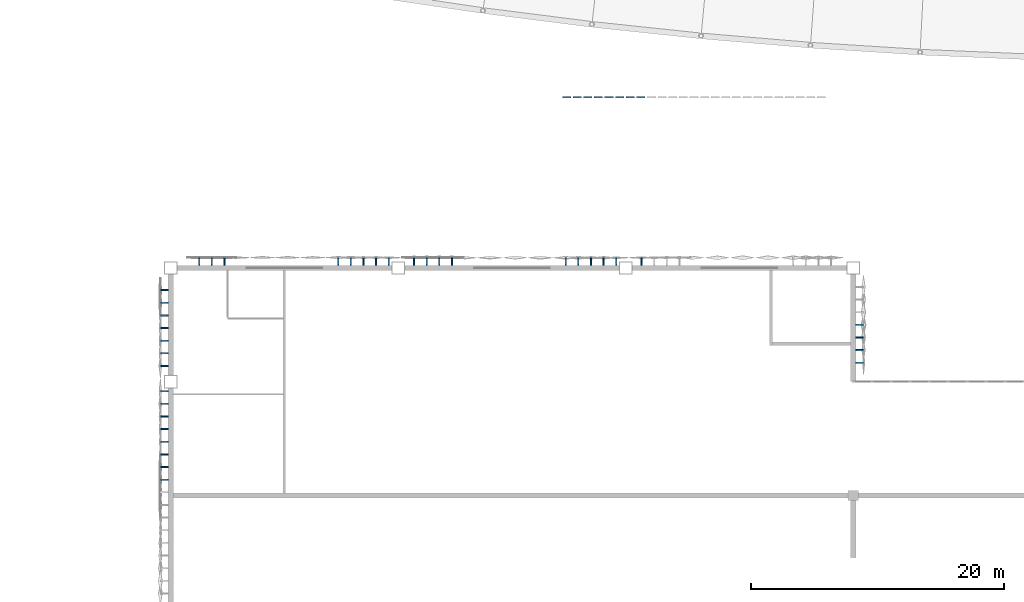
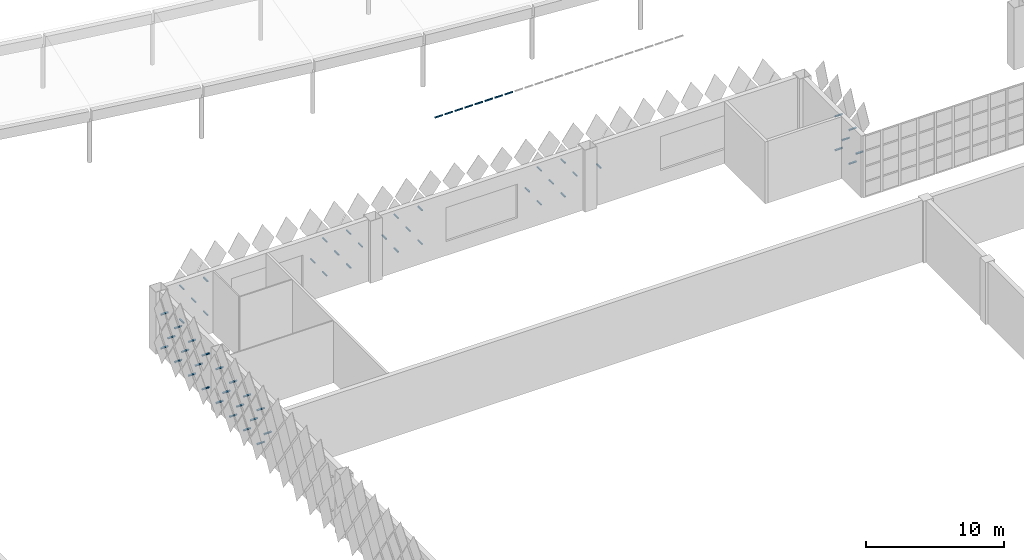
# One storey, part 146 of 185: 63 discrete accessories.
"""IFC4 building model written with IfcOpenShell, lengths in metres."""

from ifc_helpers import new_model, si_unit, direction, frame, origin, origin_2d, place, context, subcontext, project, spatial, polyline, hollow_rectangle, outline, extrude, material, material_profile, profile_set, type_object, element, save


model = new_model("IFC4")

# Units and contexts
model_context = context("Model", 3, precision=1e-05, world=origin(), true_north=direction((0.0, 1.0)))
body_context = subcontext(model_context, "Body", "Model", "MODEL_VIEW")
ifc_project = project(units=[si_unit("LENGTHUNIT", "METRE"), si_unit("AREAUNIT", "SQUARE_METRE"), si_unit("VOLUMEUNIT", "CUBIC_METRE"), si_unit("PLANEANGLEUNIT", "RADIAN"), si_unit("MASSUNIT", "GRAM", prefix="KILO")], contexts=[model_context])

# Site, building, storey
site_placement = place(None, origin())
site = spatial("IfcSite", under=ifc_project, at=site_placement, CompositionType="ELEMENT")
building_placement = place(site_placement, origin())
building = spatial("IfcBuilding", under=site, at=building_placement, Name="Opaline Strait Convention Centre", CompositionType="ELEMENT")
storey_placement = place(building_placement, frame((0.0, 0.0, 6.0)))
storey = spatial("IfcBuildingStorey", under=building, at=storey_placement, Name="L01", CompositionType="ELEMENT", Elevation=6.0)

# Discrete accessories
ifc_material = material(Name="Steel Q355B", Category="steel")
ifc_material_profile = material_profile(ifc_material, hollow_rectangle(XDim=0.10009765625, YDim=0.10009765625, WallThickness=0.006103515625, at=origin_2d()), Name="RHS 100x100x6")
ifc_profile_set = profile_set([ifc_material_profile], Name="Steel Q355B")
discrete_accessory_type_1 = type_object("IfcDiscreteAccessoryType", Name="Blade rail RHS 100x100x6", PredefinedType="BRACKET", material=ifc_profile_set)
for number, where, z_axis, x_axis, name in (
    (1, (129.97998046875, 166.5, 1.5), (1.0, 0.0, 0.0), (0.0, 1.0, 0.0), "Blade rail 1 W"),
    (2, (130.820068359375, 166.5, 1.5), (1.0, 0.0, 0.0), (0.0, 1.0, 0.0), "Blade rail 1 W"),
):
    element("IfcDiscreteAccessory", number, at=place(storey_placement, frame(where, z_axis=z_axis, x_axis=x_axis)), inside=storey, type_object=discrete_accessory_type_1, Name=name, PredefinedType="BRACKET", context=body_context, shape_type="SweptSolid", body=[
        extrude(hollow_rectangle(XDim=0.10009765625, YDim=0.10009765625, WallThickness=0.006103515625, at=origin_2d()), origin(), (0.0, 0.0, 1.0), 0.679931640625),
    ])
discrete_accessory_1_placement = place(storey_placement, frame((131.659912109375, 166.5, 1.5), z_axis=(1.0, 0.0, 0.0), x_axis=(0.0, 1.0, 0.0)))
element("IfcDiscreteAccessory", 3, at=discrete_accessory_1_placement, inside=storey, type_object=discrete_accessory_type_1, Name="Blade rail 1 W", PredefinedType="BRACKET", context=body_context, shape_type="SweptSolid", body=[
    extrude(hollow_rectangle(XDim=0.10009765625, YDim=0.10009765625, WallThickness=0.006103515625, at=origin_2d()), origin(), (0.0, 0.0, 1.0), 0.68017578125),
])
for number, where, z_axis, x_axis, name in (
    (4, (132.5, 166.5, 1.5), (1.0, 0.0, 0.0), (0.0, 1.0, 0.0), "Blade rail 1 W"),
    (5, (133.340087890625, 166.5, 1.5), (1.0, 0.0, 0.0), (0.0, 1.0, 0.0), "Blade rail 1 W"),
):
    element("IfcDiscreteAccessory", number, at=place(storey_placement, frame(where, z_axis=z_axis, x_axis=x_axis)), inside=storey, type_object=discrete_accessory_type_1, Name=name, PredefinedType="BRACKET", context=body_context, shape_type="SweptSolid", body=[
        extrude(hollow_rectangle(XDim=0.10009765625, YDim=0.10009765625, WallThickness=0.006103515625, at=origin_2d()), origin(), (0.0, 0.0, 1.0), 0.679931640625),
    ])
discrete_accessory_2_placement = place(storey_placement, frame((134.179931640625, 166.5, 1.5), z_axis=(1.0, 0.0, 0.0), x_axis=(0.0, 1.0, 0.0)))
element("IfcDiscreteAccessory", 6, at=discrete_accessory_2_placement, inside=storey, type_object=discrete_accessory_type_1, Name="Blade rail 1 W", PredefinedType="BRACKET", context=body_context, shape_type="SweptSolid", body=[
    extrude(hollow_rectangle(XDim=0.10009765625, YDim=0.10009765625, WallThickness=0.006103515625, at=origin_2d()), origin(), (0.0, 0.0, 1.0), 0.68017578125),
])
for number, where, z_axis, x_axis, name in (
    (7, (135.02001953125, 166.5, 1.5), (1.0, 0.0, 0.0), (0.0, 1.0, 0.0), "Blade rail 1 W"),
    (8, (135.860107421875, 166.5, 1.5), (1.0, 0.0, 0.0), (0.0, 1.0, 0.0), "Blade rail 1 W"),
):
    element("IfcDiscreteAccessory", number, at=place(storey_placement, frame(where, z_axis=z_axis, x_axis=x_axis)), inside=storey, type_object=discrete_accessory_type_1, Name=name, PredefinedType="BRACKET", context=body_context, shape_type="SweptSolid", body=[
        extrude(hollow_rectangle(XDim=0.10009765625, YDim=0.10009765625, WallThickness=0.006103515625, at=origin_2d()), origin(), (0.0, 0.0, 1.0), 0.679931640625),
    ])
discrete_accessory_type_2 = type_object("IfcDiscreteAccessoryType", Name="Tile bracket 100x100 steel", PredefinedType="BRACKET", material=ifc_material)
discrete_accessory_3_placement = place(storey_placement, frame((133.300048828125, 153.199951171875, 1.39208984375), z_axis=(-1.0, 0.0, 0.0), x_axis=(0.0, -1.0, 0.0)))
element("IfcDiscreteAccessory", 9, at=discrete_accessory_3_placement, inside=storey, type_object=discrete_accessory_type_2, Name="Tile bracket XT10 N", PredefinedType="BRACKET", context=body_context, shape_type="SweptSolid", body=[
    extrude(outline(polyline([(0.0, -0.050048828125), (0.0, 0.050048828125), (-0.595703125, 0.050048828125), (-0.604248046875, -0.050048828125), (0.0, -0.050048828125)])), origin(), (0.0, 0.0, 1.0), 0.10009765625),
])
discrete_accessory_4_placement = place(storey_placement, frame((131.300048828125, 153.199951171875, 1.39208984375), z_axis=(-1.0, 0.0, 0.0), x_axis=(0.0, -1.0, 0.0)))
element("IfcDiscreteAccessory", 10, at=discrete_accessory_4_placement, inside=storey, type_object=discrete_accessory_type_2, Name="Tile bracket XT11 N", PredefinedType="BRACKET", context=body_context, shape_type="SweptSolid", body=[
    extrude(outline(polyline([(0.0, -0.050048828125), (0.0, 0.050048828125), (-0.59521484375, 0.050048828125), (-0.604736328125, -0.050048828125), (0.0, -0.050048828125)])), origin(), (0.0, 0.0, 1.0), 0.10009765625),
])
discrete_accessory_5_placement = place(storey_placement, frame((121.300048828125, 153.199951171875, 1.39208984375), z_axis=(-1.0, 0.0, 0.0), x_axis=(0.0, -1.0, 0.0)))
element("IfcDiscreteAccessory", 11, at=discrete_accessory_5_placement, inside=storey, type_object=discrete_accessory_type_2, Name="Tile bracket XT04 N", PredefinedType="BRACKET", context=body_context, shape_type="SweptSolid", body=[
    extrude(outline(polyline([(0.0, -0.050048828125), (0.0, 0.050048828125), (-0.59814453125, 0.050048828125), (-0.601806640625, -0.050048828125), (0.0, -0.050048828125)])), origin(), (0.0, 0.0, 1.0), 0.10009765625),
])
discrete_accessory_6_placement = place(storey_placement, frame((119.300048828125, 153.199951171875, 1.39208984375), z_axis=(-1.0, 0.0, 0.0), x_axis=(0.0, -1.0, 0.0)))
element("IfcDiscreteAccessory", 12, at=discrete_accessory_6_placement, inside=storey, type_object=discrete_accessory_type_2, Name="Tile bracket XT04 N", PredefinedType="BRACKET", context=body_context, shape_type="SweptSolid", body=[
    extrude(outline(polyline([(0.0, -0.050048828125), (0.0, 0.050048828125), (-0.601806640625, 0.050048828125), (-0.59814453125, -0.050048828125), (0.0, -0.050048828125)])), origin(), (0.0, 0.0, 1.0), 0.10009765625),
])
discrete_accessory_7_placement = place(storey_placement, frame((115.300048828125, 153.199951171875, 1.39208984375), z_axis=(-1.0, 0.0, 0.0), x_axis=(0.0, -1.0, 0.0)))
element("IfcDiscreteAccessory", 13, at=discrete_accessory_7_placement, inside=storey, type_object=discrete_accessory_type_2, Name="Tile bracket XT07 N", PredefinedType="BRACKET", context=body_context, shape_type="SweptSolid", body=[
    extrude(outline(polyline([(0.0, -0.050048828125), (0.0, 0.050048828125), (-0.60302734375, 0.050048828125), (-0.596923828125, -0.050048828125), (0.0, -0.050048828125)])), origin(), (0.0, 0.0, 1.0), 0.10009765625),
])
discrete_accessory_8_placement = place(storey_placement, frame((113.300048828125, 153.199951171875, 1.39208984375), z_axis=(-1.0, 0.0, 0.0), x_axis=(0.0, -1.0, 0.0)))
element("IfcDiscreteAccessory", 14, at=discrete_accessory_8_placement, inside=storey, type_object=discrete_accessory_type_2, Name="Tile bracket XT09 N", PredefinedType="BRACKET", context=body_context, shape_type="SweptSolid", body=[
    extrude(outline(polyline([(0.0, -0.050048828125), (0.0, 0.050048828125), (-0.60400390625, 0.050048828125), (-0.595947265625, -0.050048828125), (0.0, -0.050048828125)])), origin(), (0.0, 0.0, 1.0), 0.10009765625),
])
discrete_accessory_9_placement = place(storey_placement, frame((103.300048828125, 153.199951171875, 1.39208984375), z_axis=(-1.0, 0.0, 0.0), x_axis=(0.0, -1.0, 0.0)))
element("IfcDiscreteAccessory", 15, at=discrete_accessory_9_placement, inside=storey, type_object=discrete_accessory_type_2, Name="Tile bracket XT02 N", PredefinedType="BRACKET", context=body_context, shape_type="SweptSolid", body=[
    extrude(outline(polyline([(0.0, -0.050048828125), (0.0, 0.050048828125), (-0.600830078125, 0.050048828125), (-0.59912109375, -0.050048828125), (0.0, -0.050048828125)])), origin(), (0.0, 0.0, 1.0), 0.10009765625),
])
discrete_accessory_10_placement = place(storey_placement, frame((101.300048828125, 153.199951171875, 1.39208984375), z_axis=(-1.0, 0.0, 0.0), x_axis=(0.0, -1.0, 0.0)))
element("IfcDiscreteAccessory", 16, at=discrete_accessory_10_placement, inside=storey, type_object=discrete_accessory_type_2, Name="Tile bracket XT02 N", PredefinedType="BRACKET", context=body_context, shape_type="SweptSolid", body=[
    extrude(outline(polyline([(0.0, -0.050048828125), (0.0, 0.050048828125), (-0.59912109375, 0.050048828125), (-0.600830078125, -0.050048828125), (0.0, -0.050048828125)])), origin(), (0.0, 0.0, 1.0), 0.10009765625),
])
discrete_accessory_11_placement = place(storey_placement, frame((136.300048828125, 153.199951171875, 2.89208984375), z_axis=(-1.0, 0.0, 0.0), x_axis=(0.0, -1.0, 0.0)))
element("IfcDiscreteAccessory", 17, at=discrete_accessory_11_placement, inside=storey, type_object=discrete_accessory_type_2, Name="Tile bracket XT05 N", PredefinedType="BRACKET", context=body_context, shape_type="SweptSolid", body=[
    extrude(outline(polyline([(0.0, -0.050048828125), (0.0, 0.050048828125), (-0.597900390625, 0.050048828125), (-0.602294921875, -0.050048828125), (0.0, -0.050048828125)])), origin(), (0.0, 0.0, 1.0), 0.10009765625),
])
discrete_accessory_12_placement = place(storey_placement, frame((134.300048828125, 153.199951171875, 2.89208984375), z_axis=(-1.0, 0.0, 0.0), x_axis=(0.0, -1.0, 0.0)))
element("IfcDiscreteAccessory", 18, at=discrete_accessory_12_placement, inside=storey, type_object=discrete_accessory_type_2, Name="Tile bracket XT07 N", PredefinedType="BRACKET", context=body_context, shape_type="SweptSolid", body=[
    extrude(outline(polyline([(0.0, -0.050048828125), (0.0, 0.050048828125), (-0.596923828125, 0.050048828125), (-0.60302734375, -0.050048828125), (0.0, -0.050048828125)])), origin(), (0.0, 0.0, 1.0), 0.10009765625),
])
discrete_accessory_13_placement = place(storey_placement, frame((132.300048828125, 153.199951171875, 2.89208984375), z_axis=(-1.0, 0.0, 0.0), x_axis=(0.0, -1.0, 0.0)))
element("IfcDiscreteAccessory", 19, at=discrete_accessory_13_placement, inside=storey, type_object=discrete_accessory_type_2, Name="Tile bracket XT10 N", PredefinedType="BRACKET", context=body_context, shape_type="SweptSolid", body=[
    extrude(outline(polyline([(0.0, -0.050048828125), (0.0, 0.050048828125), (-0.595703125, 0.050048828125), (-0.604248046875, -0.050048828125), (0.0, -0.050048828125)])), origin(), (0.0, 0.0, 1.0), 0.10009765625),
])
discrete_accessory_14_placement = place(storey_placement, frame((130.300048828125, 153.199951171875, 2.89208984375), z_axis=(-1.0, 0.0, 0.0), x_axis=(0.0, -1.0, 0.0)))
element("IfcDiscreteAccessory", 20, at=discrete_accessory_14_placement, inside=storey, type_object=discrete_accessory_type_2, Name="Tile bracket XT11 N", PredefinedType="BRACKET", context=body_context, shape_type="SweptSolid", body=[
    extrude(outline(polyline([(0.0, -0.050048828125), (0.0, 0.050048828125), (-0.59521484375, 0.050048828125), (-0.604736328125, -0.050048828125), (0.0, -0.050048828125)])), origin(), (0.0, 0.0, 1.0), 0.10009765625),
])
discrete_accessory_15_placement = place(storey_placement, frame((120.300048828125, 153.199951171875, 2.89208984375), z_axis=(-1.0, 0.0, 0.0), x_axis=(0.0, -1.0, 0.0)))
element("IfcDiscreteAccessory", 21, at=discrete_accessory_15_placement, inside=storey, type_object=discrete_accessory_type_2, Name="Tile bracket XT04 N", PredefinedType="BRACKET", context=body_context, shape_type="SweptSolid", body=[
    extrude(outline(polyline([(0.0, -0.050048828125), (0.0, 0.050048828125), (-0.59814453125, 0.050048828125), (-0.601806640625, -0.050048828125), (0.0, -0.050048828125)])), origin(), (0.0, 0.0, 1.0), 0.10009765625),
])
discrete_accessory_16_placement = place(storey_placement, frame((118.300048828125, 153.199951171875, 2.89208984375), z_axis=(-1.0, 0.0, 0.0), x_axis=(0.0, -1.0, 0.0)))
element("IfcDiscreteAccessory", 22, at=discrete_accessory_16_placement, inside=storey, type_object=discrete_accessory_type_2, Name="Tile bracket XT04 N", PredefinedType="BRACKET", context=body_context, shape_type="SweptSolid", body=[
    extrude(outline(polyline([(0.0, -0.050048828125), (0.0, 0.050048828125), (-0.601806640625, 0.050048828125), (-0.59814453125, -0.050048828125), (0.0, -0.050048828125)])), origin(), (0.0, 0.0, 1.0), 0.10009765625),
])
discrete_accessory_17_placement = place(storey_placement, frame((116.300048828125, 153.199951171875, 2.89208984375), z_axis=(-1.0, 0.0, 0.0), x_axis=(0.0, -1.0, 0.0)))
element("IfcDiscreteAccessory", 23, at=discrete_accessory_17_placement, inside=storey, type_object=discrete_accessory_type_2, Name="Tile bracket XT05 N", PredefinedType="BRACKET", context=body_context, shape_type="SweptSolid", body=[
    extrude(outline(polyline([(0.0, -0.050048828125), (0.0, 0.050048828125), (-0.602294921875, 0.050048828125), (-0.597900390625, -0.050048828125), (0.0, -0.050048828125)])), origin(), (0.0, 0.0, 1.0), 0.10009765625),
])
discrete_accessory_18_placement = place(storey_placement, frame((114.300048828125, 153.199951171875, 2.89208984375), z_axis=(-1.0, 0.0, 0.0), x_axis=(0.0, -1.0, 0.0)))
element("IfcDiscreteAccessory", 24, at=discrete_accessory_18_placement, inside=storey, type_object=discrete_accessory_type_2, Name="Tile bracket XT07 N", PredefinedType="BRACKET", context=body_context, shape_type="SweptSolid", body=[
    extrude(outline(polyline([(0.0, -0.050048828125), (0.0, 0.050048828125), (-0.60302734375, 0.050048828125), (-0.596923828125, -0.050048828125), (0.0, -0.050048828125)])), origin(), (0.0, 0.0, 1.0), 0.10009765625),
])
discrete_accessory_19_placement = place(storey_placement, frame((112.300048828125, 153.199951171875, 2.89208984375), z_axis=(-1.0, 0.0, 0.0), x_axis=(0.0, -1.0, 0.0)))
element("IfcDiscreteAccessory", 25, at=discrete_accessory_19_placement, inside=storey, type_object=discrete_accessory_type_2, Name="Tile bracket XT08 N", PredefinedType="BRACKET", context=body_context, shape_type="SweptSolid", body=[
    extrude(outline(polyline([(0.0, -0.050048828125), (0.0, 0.050048828125), (-0.603515625, 0.050048828125), (-0.596435546875, -0.050048828125), (0.0, -0.050048828125)])), origin(), (0.0, 0.0, 1.0), 0.10009765625),
])
discrete_accessory_20_placement = place(storey_placement, frame((102.300048828125, 153.199951171875, 2.89208984375), z_axis=(-1.0, 0.0, 0.0), x_axis=(0.0, -1.0, 0.0)))
element("IfcDiscreteAccessory", 26, at=discrete_accessory_20_placement, inside=storey, type_object=discrete_accessory_type_2, Name="Tile bracket XT02 N", PredefinedType="BRACKET", context=body_context, shape_type="SweptSolid", body=[
    extrude(outline(polyline([(0.0, -0.050048828125), (0.0, 0.050048828125), (-0.600830078125, 0.050048828125), (-0.59912109375, -0.050048828125), (0.0, -0.050048828125)])), origin(), (0.0, 0.0, 1.0), 0.10009765625),
])
discrete_accessory_21_placement = place(storey_placement, frame((133.300048828125, 153.199951171875, 4.39208984375), z_axis=(-1.0, 0.0, 0.0), x_axis=(0.0, -1.0, 0.0)))
element("IfcDiscreteAccessory", 27, at=discrete_accessory_21_placement, inside=storey, type_object=discrete_accessory_type_2, Name="Tile bracket XT06 N", PredefinedType="BRACKET", context=body_context, shape_type="SweptSolid", body=[
    extrude(outline(polyline([(0.0, -0.050048828125), (0.0, 0.050048828125), (-0.597412109375, 0.050048828125), (-0.6025390625, -0.050048828125), (0.0, -0.050048828125)])), origin(), (0.0, 0.0, 1.0), 0.10009765625),
])
discrete_accessory_22_placement = place(storey_placement, frame((131.300048828125, 153.199951171875, 4.39208984375), z_axis=(-1.0, 0.0, 0.0), x_axis=(0.0, -1.0, 0.0)))
element("IfcDiscreteAccessory", 28, at=discrete_accessory_22_placement, inside=storey, type_object=discrete_accessory_type_2, Name="Tile bracket XT09 N", PredefinedType="BRACKET", context=body_context, shape_type="SweptSolid", body=[
    extrude(outline(polyline([(0.0, -0.050048828125), (0.0, 0.050048828125), (-0.595947265625, 0.050048828125), (-0.60400390625, -0.050048828125), (0.0, -0.050048828125)])), origin(), (0.0, 0.0, 1.0), 0.10009765625),
])
discrete_accessory_23_placement = place(storey_placement, frame((121.300048828125, 153.199951171875, 4.39208984375), z_axis=(-1.0, 0.0, 0.0), x_axis=(0.0, -1.0, 0.0)))
element("IfcDiscreteAccessory", 29, at=discrete_accessory_23_placement, inside=storey, type_object=discrete_accessory_type_2, Name="Tile bracket XT06 N", PredefinedType="BRACKET", context=body_context, shape_type="SweptSolid", body=[
    extrude(outline(polyline([(0.0, -0.050048828125), (0.0, 0.050048828125), (-0.597412109375, 0.050048828125), (-0.6025390625, -0.050048828125), (0.0, -0.050048828125)])), origin(), (0.0, 0.0, 1.0), 0.10009765625),
])
discrete_accessory_24_placement = place(storey_placement, frame((119.300048828125, 153.199951171875, 4.39208984375), z_axis=(-1.0, 0.0, 0.0), x_axis=(0.0, -1.0, 0.0)))
element("IfcDiscreteAccessory", 30, at=discrete_accessory_24_placement, inside=storey, type_object=discrete_accessory_type_2, Name="Tile bracket XT04 N", PredefinedType="BRACKET", context=body_context, shape_type="SweptSolid", body=[
    extrude(outline(polyline([(0.0, -0.050048828125), (0.0, 0.050048828125), (-0.59814453125, 0.050048828125), (-0.601806640625, -0.050048828125), (0.0, -0.050048828125)])), origin(), (0.0, 0.0, 1.0), 0.10009765625),
])
discrete_accessory_25_placement = place(storey_placement, frame((115.300048828125, 153.199951171875, 4.39208984375), z_axis=(-1.0, 0.0, 0.0), x_axis=(0.0, -1.0, 0.0)))
element("IfcDiscreteAccessory", 31, at=discrete_accessory_25_placement, inside=storey, type_object=discrete_accessory_type_2, Name="Tile bracket XT04 N", PredefinedType="BRACKET", context=body_context, shape_type="SweptSolid", body=[
    extrude(outline(polyline([(0.0, -0.050048828125), (0.0, 0.050048828125), (-0.601806640625, 0.050048828125), (-0.59814453125, -0.050048828125), (0.0, -0.050048828125)])), origin(), (0.0, 0.0, 1.0), 0.10009765625),
])
discrete_accessory_26_placement = place(storey_placement, frame((113.300048828125, 153.199951171875, 4.39208984375), z_axis=(-1.0, 0.0, 0.0), x_axis=(0.0, -1.0, 0.0)))
element("IfcDiscreteAccessory", 32, at=discrete_accessory_26_placement, inside=storey, type_object=discrete_accessory_type_2, Name="Tile bracket XT07 N", PredefinedType="BRACKET", context=body_context, shape_type="SweptSolid", body=[
    extrude(outline(polyline([(0.0, -0.050048828125), (0.0, 0.050048828125), (-0.60302734375, 0.050048828125), (-0.596923828125, -0.050048828125), (0.0, -0.050048828125)])), origin(), (0.0, 0.0, 1.0), 0.10009765625),
])
discrete_accessory_27_placement = place(storey_placement, frame((103.300048828125, 153.199951171875, 4.39208984375), z_axis=(-1.0, 0.0, 0.0), x_axis=(0.0, -1.0, 0.0)))
element("IfcDiscreteAccessory", 33, at=discrete_accessory_27_placement, inside=storey, type_object=discrete_accessory_type_2, Name="Tile bracket XT04 N", PredefinedType="BRACKET", context=body_context, shape_type="SweptSolid", body=[
    extrude(outline(polyline([(0.0, -0.050048828125), (0.0, 0.050048828125), (-0.601806640625, 0.050048828125), (-0.59814453125, -0.050048828125), (0.0, -0.050048828125)])), origin(), (0.0, 0.0, 1.0), 0.10009765625),
])
discrete_accessory_28_placement = place(storey_placement, frame((101.300048828125, 153.199951171875, 4.39208984375), z_axis=(-1.0, 0.0, 0.0), x_axis=(0.0, -1.0, 0.0)))
element("IfcDiscreteAccessory", 34, at=discrete_accessory_28_placement, inside=storey, type_object=discrete_accessory_type_2, Name="Tile bracket XT02 N", PredefinedType="BRACKET", context=body_context, shape_type="SweptSolid", body=[
    extrude(outline(polyline([(0.0, -0.050048828125), (0.0, 0.050048828125), (-0.600830078125, 0.050048828125), (-0.59912109375, -0.050048828125), (0.0, -0.050048828125)])), origin(), (0.0, 0.0, 1.0), 0.10009765625),
])
discrete_accessory_29_placement = place(storey_placement, frame((98.800048828125, 151.300048828125, 1.39208984375), z_axis=(0.0, -1.0, 0.0), x_axis=(1.0, 0.0, 0.0)))
element("IfcDiscreteAccessory", 35, at=discrete_accessory_29_placement, inside=storey, type_object=discrete_accessory_type_2, Name="Tile bracket XT06 W", PredefinedType="BRACKET", context=body_context, shape_type="SweptSolid", body=[
    extrude(outline(polyline([(0.0, -0.050048828125), (0.0, 0.050048828125), (-0.6025390625, 0.050048828125), (-0.597412109375, -0.050048828125), (0.0, -0.050048828125)])), origin(), (0.0, 0.0, 1.0), 0.10009765625),
])
discrete_accessory_30_placement = place(storey_placement, frame((98.800048828125, 149.300048828125, 1.39208984375), z_axis=(0.0, -1.0, 0.0), x_axis=(1.0, 0.0, 0.0)))
element("IfcDiscreteAccessory", 36, at=discrete_accessory_30_placement, inside=storey, type_object=discrete_accessory_type_2, Name="Tile bracket XT07 W", PredefinedType="BRACKET", context=body_context, shape_type="SweptSolid", body=[
    extrude(outline(polyline([(0.0, -0.050048828125), (0.0, 0.050048828125), (-0.60302734375, 0.050048828125), (-0.596923828125, -0.050048828125), (0.0, -0.050048828125)])), origin(), (0.0, 0.0, 1.0), 0.10009765625),
])
for number, where, z_axis, x_axis, name in (
    (37, (98.800048828125, 147.300048828125, 1.39208984375), (0.0, -1.0, 0.0), (1.0, 0.0, 0.0), "Tile bracket XT08 W"),
    (38, (98.800048828125, 145.300048828125, 1.39208984375), (0.0, -1.0, 0.0), (1.0, 0.0, 0.0), "Tile bracket XT08 W"),
):
    element("IfcDiscreteAccessory", number, at=place(storey_placement, frame(where, z_axis=z_axis, x_axis=x_axis)), inside=storey, type_object=discrete_accessory_type_2, Name=name, PredefinedType="BRACKET", context=body_context, shape_type="SweptSolid", body=[
        extrude(outline(polyline([(0.0, -0.050048828125), (0.0, 0.050048828125), (-0.603515625, 0.050048828125), (-0.596435546875, -0.050048828125), (0.0, -0.050048828125)])), origin(), (0.0, 0.0, 1.0), 0.10009765625),
    ])
discrete_accessory_31_placement = place(storey_placement, frame((98.800048828125, 143.300048828125, 1.39208984375), z_axis=(0.0, -1.0, 0.0), x_axis=(1.0, 0.0, 0.0)))
element("IfcDiscreteAccessory", 39, at=discrete_accessory_31_placement, inside=storey, type_object=discrete_accessory_type_2, Name="Tile bracket XT07 W", PredefinedType="BRACKET", context=body_context, shape_type="SweptSolid", body=[
    extrude(outline(polyline([(0.0, -0.050048828125), (0.0, 0.050048828125), (-0.60302734375, 0.050048828125), (-0.596923828125, -0.050048828125), (0.0, -0.050048828125)])), origin(), (0.0, 0.0, 1.0), 0.10009765625),
])
discrete_accessory_32_placement = place(storey_placement, frame((98.800048828125, 141.300048828125, 1.39208984375), z_axis=(0.0, -1.0, 0.0), x_axis=(1.0, 0.0, 0.0)))
element("IfcDiscreteAccessory", 40, at=discrete_accessory_32_placement, inside=storey, type_object=discrete_accessory_type_2, Name="Tile bracket XT05 W", PredefinedType="BRACKET", context=body_context, shape_type="SweptSolid", body=[
    extrude(outline(polyline([(0.0, -0.050048828125), (0.0, 0.050048828125), (-0.602294921875, 0.050048828125), (-0.597900390625, -0.050048828125), (0.0, -0.050048828125)])), origin(), (0.0, 0.0, 1.0), 0.10009765625),
])
discrete_accessory_33_placement = place(storey_placement, frame((98.800048828125, 139.300048828125, 1.39208984375), z_axis=(0.0, -1.0, 0.0), x_axis=(1.0, 0.0, 0.0)))
element("IfcDiscreteAccessory", 41, at=discrete_accessory_33_placement, inside=storey, type_object=discrete_accessory_type_2, Name="Tile bracket XT04 W", PredefinedType="BRACKET", context=body_context, shape_type="SweptSolid", body=[
    extrude(outline(polyline([(0.0, -0.050048828125), (0.0, 0.050048828125), (-0.601806640625, 0.050048828125), (-0.59814453125, -0.050048828125), (0.0, -0.050048828125)])), origin(), (0.0, 0.0, 1.0), 0.10009765625),
])
discrete_accessory_34_placement = place(storey_placement, frame((98.800048828125, 137.300048828125, 1.39208984375), z_axis=(0.0, -1.0, 0.0), x_axis=(1.0, 0.0, 0.0)))
element("IfcDiscreteAccessory", 42, at=discrete_accessory_34_placement, inside=storey, type_object=discrete_accessory_type_2, Name="Tile bracket XT04 W", PredefinedType="BRACKET", context=body_context, shape_type="SweptSolid", body=[
    extrude(outline(polyline([(0.0, -0.050048828125), (0.0, 0.050048828125), (-0.59814453125, 0.050048828125), (-0.601806640625, -0.050048828125), (0.0, -0.050048828125)])), origin(), (0.0, 0.0, 1.0), 0.10009765625),
])
discrete_accessory_35_placement = place(storey_placement, frame((98.800048828125, 150.300048828125, 2.89208984375), z_axis=(0.0, -1.0, 0.0), x_axis=(1.0, 0.0, 0.0)))
element("IfcDiscreteAccessory", 43, at=discrete_accessory_35_placement, inside=storey, type_object=discrete_accessory_type_2, Name="Tile bracket XT05 W", PredefinedType="BRACKET", context=body_context, shape_type="SweptSolid", body=[
    extrude(outline(polyline([(0.0, -0.050048828125), (0.0, 0.050048828125), (-0.602294921875, 0.050048828125), (-0.597900390625, -0.050048828125), (0.0, -0.050048828125)])), origin(), (0.0, 0.0, 1.0), 0.10009765625),
])
for number, where, z_axis, x_axis, name in (
    (44, (98.800048828125, 148.300048828125, 2.89208984375), (0.0, -1.0, 0.0), (1.0, 0.0, 0.0), "Tile bracket XT08 W"),
    (45, (98.800048828125, 146.300048828125, 2.89208984375), (0.0, -1.0, 0.0), (1.0, 0.0, 0.0), "Tile bracket XT08 W"),
    (46, (98.800048828125, 142.300048828125, 2.89208984375), (0.0, -1.0, 0.0), (1.0, 0.0, 0.0), "Tile bracket XT08 W"),
):
    element("IfcDiscreteAccessory", number, at=place(storey_placement, frame(where, z_axis=z_axis, x_axis=x_axis)), inside=storey, type_object=discrete_accessory_type_2, Name=name, PredefinedType="BRACKET", context=body_context, shape_type="SweptSolid", body=[
        extrude(outline(polyline([(0.0, -0.050048828125), (0.0, 0.050048828125), (-0.603515625, 0.050048828125), (-0.596435546875, -0.050048828125), (0.0, -0.050048828125)])), origin(), (0.0, 0.0, 1.0), 0.10009765625),
    ])
discrete_accessory_36_placement = place(storey_placement, frame((98.800048828125, 140.300048828125, 2.89208984375), z_axis=(0.0, -1.0, 0.0), x_axis=(1.0, 0.0, 0.0)))
element("IfcDiscreteAccessory", 47, at=discrete_accessory_36_placement, inside=storey, type_object=discrete_accessory_type_2, Name="Tile bracket XT05 W", PredefinedType="BRACKET", context=body_context, shape_type="SweptSolid", body=[
    extrude(outline(polyline([(0.0, -0.050048828125), (0.0, 0.050048828125), (-0.602294921875, 0.050048828125), (-0.597900390625, -0.050048828125), (0.0, -0.050048828125)])), origin(), (0.0, 0.0, 1.0), 0.10009765625),
])
discrete_accessory_37_placement = place(storey_placement, frame((98.800048828125, 138.300048828125, 2.89208984375), z_axis=(0.0, -1.0, 0.0), x_axis=(1.0, 0.0, 0.0)))
element("IfcDiscreteAccessory", 48, at=discrete_accessory_37_placement, inside=storey, type_object=discrete_accessory_type_2, Name="Tile bracket XT04 W", PredefinedType="BRACKET", context=body_context, shape_type="SweptSolid", body=[
    extrude(outline(polyline([(0.0, -0.050048828125), (0.0, 0.050048828125), (-0.601806640625, 0.050048828125), (-0.59814453125, -0.050048828125), (0.0, -0.050048828125)])), origin(), (0.0, 0.0, 1.0), 0.10009765625),
])
discrete_accessory_38_placement = place(storey_placement, frame((98.800048828125, 136.300048828125, 2.89208984375), z_axis=(0.0, -1.0, 0.0), x_axis=(1.0, 0.0, 0.0)))
element("IfcDiscreteAccessory", 49, at=discrete_accessory_38_placement, inside=storey, type_object=discrete_accessory_type_2, Name="Tile bracket XT04 W", PredefinedType="BRACKET", context=body_context, shape_type="SweptSolid", body=[
    extrude(outline(polyline([(0.0, -0.050048828125), (0.0, 0.050048828125), (-0.59814453125, 0.050048828125), (-0.601806640625, -0.050048828125), (0.0, -0.050048828125)])), origin(), (0.0, 0.0, 1.0), 0.10009765625),
])
discrete_accessory_39_placement = place(storey_placement, frame((98.800048828125, 151.300048828125, 4.39208984375), z_axis=(0.0, -1.0, 0.0), x_axis=(1.0, 0.0, 0.0)))
element("IfcDiscreteAccessory", 50, at=discrete_accessory_39_placement, inside=storey, type_object=discrete_accessory_type_2, Name="Tile bracket XT03 W", PredefinedType="BRACKET", context=body_context, shape_type="SweptSolid", body=[
    extrude(outline(polyline([(0.0, -0.050048828125), (0.0, 0.050048828125), (-0.601318359375, 0.050048828125), (-0.5986328125, -0.050048828125), (0.0, -0.050048828125)])), origin(), (0.0, 0.0, 1.0), 0.10009765625),
])
discrete_accessory_40_placement = place(storey_placement, frame((98.800048828125, 149.300048828125, 4.39208984375), z_axis=(0.0, -1.0, 0.0), x_axis=(1.0, 0.0, 0.0)))
element("IfcDiscreteAccessory", 51, at=discrete_accessory_40_placement, inside=storey, type_object=discrete_accessory_type_2, Name="Tile bracket XT05 W", PredefinedType="BRACKET", context=body_context, shape_type="SweptSolid", body=[
    extrude(outline(polyline([(0.0, -0.050048828125), (0.0, 0.050048828125), (-0.602294921875, 0.050048828125), (-0.597900390625, -0.050048828125), (0.0, -0.050048828125)])), origin(), (0.0, 0.0, 1.0), 0.10009765625),
])
discrete_accessory_41_placement = place(storey_placement, frame((98.800048828125, 147.300048828125, 4.39208984375), z_axis=(0.0, -1.0, 0.0), x_axis=(1.0, 0.0, 0.0)))
element("IfcDiscreteAccessory", 52, at=discrete_accessory_41_placement, inside=storey, type_object=discrete_accessory_type_2, Name="Tile bracket XT07 W", PredefinedType="BRACKET", context=body_context, shape_type="SweptSolid", body=[
    extrude(outline(polyline([(0.0, -0.050048828125), (0.0, 0.050048828125), (-0.60302734375, 0.050048828125), (-0.596923828125, -0.050048828125), (0.0, -0.050048828125)])), origin(), (0.0, 0.0, 1.0), 0.10009765625),
])
discrete_accessory_42_placement = place(storey_placement, frame((98.800048828125, 145.300048828125, 4.39208984375), z_axis=(0.0, -1.0, 0.0), x_axis=(1.0, 0.0, 0.0)))
element("IfcDiscreteAccessory", 53, at=discrete_accessory_42_placement, inside=storey, type_object=discrete_accessory_type_2, Name="Tile bracket XT09 W", PredefinedType="BRACKET", context=body_context, shape_type="SweptSolid", body=[
    extrude(outline(polyline([(0.0, -0.050048828125), (0.0, 0.050048828125), (-0.60400390625, 0.050048828125), (-0.595947265625, -0.050048828125), (0.0, -0.050048828125)])), origin(), (0.0, 0.0, 1.0), 0.10009765625),
])
for number, where, z_axis, x_axis, name in (
    (54, (98.800048828125, 143.300048828125, 4.39208984375), (0.0, -1.0, 0.0), (1.0, 0.0, 0.0), "Tile bracket XT08 W"),
    (55, (98.800048828125, 141.300048828125, 4.39208984375), (0.0, -1.0, 0.0), (1.0, 0.0, 0.0), "Tile bracket XT08 W"),
):
    element("IfcDiscreteAccessory", number, at=place(storey_placement, frame(where, z_axis=z_axis, x_axis=x_axis)), inside=storey, type_object=discrete_accessory_type_2, Name=name, PredefinedType="BRACKET", context=body_context, shape_type="SweptSolid", body=[
        extrude(outline(polyline([(0.0, -0.050048828125), (0.0, 0.050048828125), (-0.603515625, 0.050048828125), (-0.596435546875, -0.050048828125), (0.0, -0.050048828125)])), origin(), (0.0, 0.0, 1.0), 0.10009765625),
    ])
discrete_accessory_43_placement = place(storey_placement, frame((98.800048828125, 139.300048828125, 4.39208984375), z_axis=(0.0, -1.0, 0.0), x_axis=(1.0, 0.0, 0.0)))
element("IfcDiscreteAccessory", 56, at=discrete_accessory_43_placement, inside=storey, type_object=discrete_accessory_type_2, Name="Tile bracket XT06 W", PredefinedType="BRACKET", context=body_context, shape_type="SweptSolid", body=[
    extrude(outline(polyline([(0.0, -0.050048828125), (0.0, 0.050048828125), (-0.6025390625, 0.050048828125), (-0.597412109375, -0.050048828125), (0.0, -0.050048828125)])), origin(), (0.0, 0.0, 1.0), 0.10009765625),
])
discrete_accessory_44_placement = place(storey_placement, frame((98.800048828125, 137.300048828125, 4.39208984375), z_axis=(0.0, -1.0, 0.0), x_axis=(1.0, 0.0, 0.0)))
element("IfcDiscreteAccessory", 57, at=discrete_accessory_44_placement, inside=storey, type_object=discrete_accessory_type_2, Name="Tile bracket XT04 W", PredefinedType="BRACKET", context=body_context, shape_type="SweptSolid", body=[
    extrude(outline(polyline([(0.0, -0.050048828125), (0.0, 0.050048828125), (-0.601806640625, 0.050048828125), (-0.59814453125, -0.050048828125), (0.0, -0.050048828125)])), origin(), (0.0, 0.0, 1.0), 0.10009765625),
])
discrete_accessory_45_placement = place(storey_placement, frame((153.199951171875, 146.449951171875, 1.39208984375), z_axis=(0.0, 1.0, 0.0), x_axis=(-1.0, 0.0, 0.0)))
element("IfcDiscreteAccessory", 58, at=discrete_accessory_45_placement, inside=storey, type_object=discrete_accessory_type_2, Name="Tile bracket XT12 RW", PredefinedType="BRACKET", context=body_context, shape_type="SweptSolid", body=[
    extrude(outline(polyline([(0.0, -0.050048828125), (0.0, 0.050048828125), (-0.605224609375, 0.050048828125), (-0.5947265625, -0.050048828125), (0.0, -0.050048828125)])), origin(), (0.0, 0.0, 1.0), 0.10009765625),
])
discrete_accessory_46_placement = place(storey_placement, frame((153.199951171875, 148.449951171875, 1.39208984375), z_axis=(0.0, 1.0, 0.0), x_axis=(-1.0, 0.0, 0.0)))
element("IfcDiscreteAccessory", 59, at=discrete_accessory_46_placement, inside=storey, type_object=discrete_accessory_type_2, Name="Tile bracket XT17 RW", PredefinedType="BRACKET", context=body_context, shape_type="SweptSolid", body=[
    extrude(outline(polyline([(0.0, -0.050048828125), (0.0, 0.050048828125), (-0.607421875, 0.050048828125), (-0.592529296875, -0.050048828125), (0.0, -0.050048828125)])), origin(), (0.0, 0.0, 1.0), 0.10009765625),
])
discrete_accessory_47_placement = place(storey_placement, frame((153.199951171875, 145.449951171875, 2.89208984375), z_axis=(0.0, 1.0, 0.0), x_axis=(-1.0, 0.0, 0.0)))
element("IfcDiscreteAccessory", 60, at=discrete_accessory_47_placement, inside=storey, type_object=discrete_accessory_type_2, Name="Tile bracket XT07 RW", PredefinedType="BRACKET", context=body_context, shape_type="SweptSolid", body=[
    extrude(outline(polyline([(0.0, -0.050048828125), (0.0, 0.050048828125), (-0.60302734375, 0.050048828125), (-0.596923828125, -0.050048828125), (0.0, -0.050048828125)])), origin(), (0.0, 0.0, 1.0), 0.10009765625),
])
discrete_accessory_48_placement = place(storey_placement, frame((153.199951171875, 147.449951171875, 2.89208984375), z_axis=(0.0, 1.0, 0.0), x_axis=(-1.0, 0.0, 0.0)))
element("IfcDiscreteAccessory", 61, at=discrete_accessory_48_placement, inside=storey, type_object=discrete_accessory_type_2, Name="Tile bracket XT14 RW", PredefinedType="BRACKET", context=body_context, shape_type="SweptSolid", body=[
    extrude(outline(polyline([(0.0, -0.050048828125), (0.0, 0.050048828125), (-0.606201171875, 0.050048828125), (-0.59375, -0.050048828125), (0.0, -0.050048828125)])), origin(), (0.0, 0.0, 1.0), 0.10009765625),
])
discrete_accessory_49_placement = place(storey_placement, frame((153.199951171875, 146.449951171875, 4.39208984375), z_axis=(0.0, 1.0, 0.0), x_axis=(-1.0, 0.0, 0.0)))
element("IfcDiscreteAccessory", 62, at=discrete_accessory_49_placement, inside=storey, type_object=discrete_accessory_type_2, Name="Tile bracket XT08 RW", PredefinedType="BRACKET", context=body_context, shape_type="SweptSolid", body=[
    extrude(outline(polyline([(0.0, -0.050048828125), (0.0, 0.050048828125), (-0.603515625, 0.050048828125), (-0.596435546875, -0.050048828125), (0.0, -0.050048828125)])), origin(), (0.0, 0.0, 1.0), 0.10009765625),
])
discrete_accessory_50_placement = place(storey_placement, frame((153.199951171875, 148.449951171875, 4.39208984375), z_axis=(0.0, 1.0, 0.0), x_axis=(-1.0, 0.0, 0.0)))
element("IfcDiscreteAccessory", 63, at=discrete_accessory_50_placement, inside=storey, type_object=discrete_accessory_type_2, Name="Tile bracket XT14 RW", PredefinedType="BRACKET", context=body_context, shape_type="SweptSolid", body=[
    extrude(outline(polyline([(0.0, -0.050048828125), (0.0, 0.050048828125), (-0.606201171875, 0.050048828125), (-0.59375, -0.050048828125), (0.0, -0.050048828125)])), origin(), (0.0, 0.0, 1.0), 0.10009765625),
])

save(model, "model.ifc")
